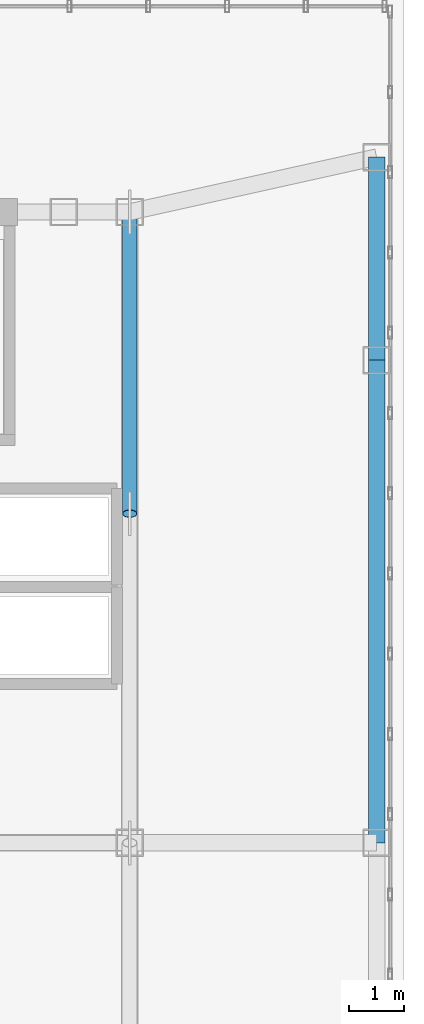
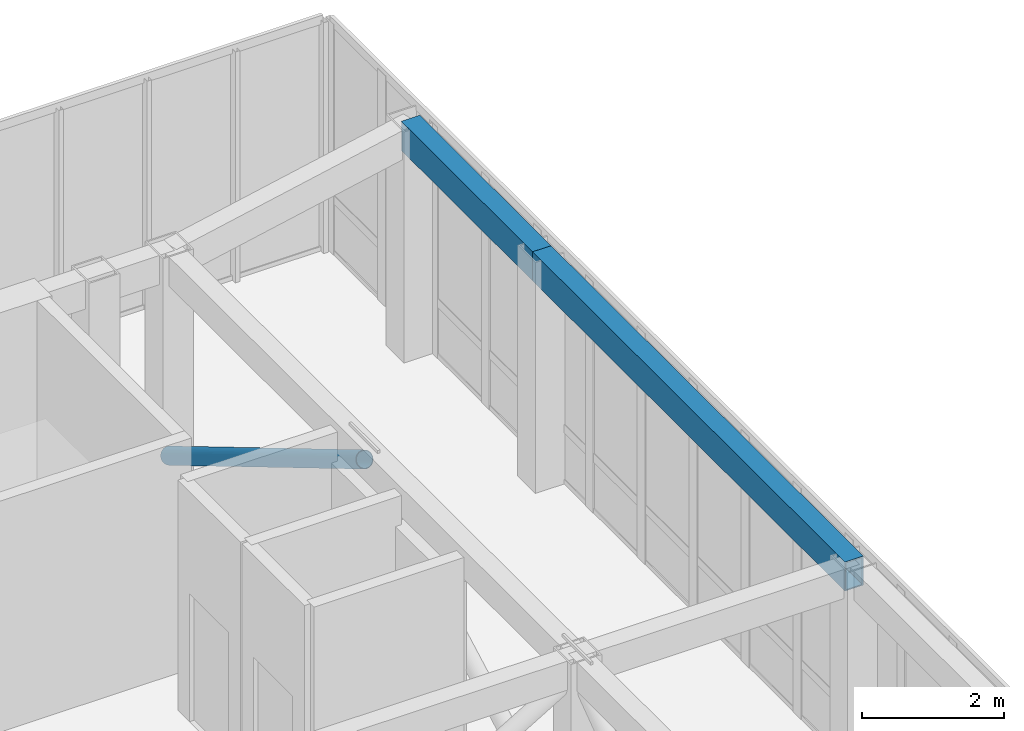
# One storey, part 8 of 13: 2 beams, 1 member.
"""IFC4 building model written with IfcOpenShell, lengths in metres."""

import ifcopenshell
import ifcopenshell.guid

model = None  # the IFC model being written
_history = None  # IfcOwnerHistory: only IFC2X3 demands one
_inside = {}  # id of a spatial element -> (the spatial element, [elements in it])
_under = {}  # id of a project, library or spatial element -> (it, [spatial elements below it])
_declared = {}  # id of a project -> (the project, [libraries it declares])
_typed = {}  # id of a type object -> (the type object, [elements of that type])
_made_of = {}  # id of a material, layer set ... -> (it, [elements and type objects made of it])


def new_model(schema):
    """Start an empty IFC model of exactly this schema.

    Asked for "IFC4X3", IfcOpenShell would pick the latest addendum, in which some entities
    have other attributes; the version numbers below select the first issue.
    IFC2X3 requires an IfcOwnerHistory on every rooted entity: one is made here for all.
    """
    global model, _history
    if schema == "IFC4X3":
        model = ifcopenshell.file(schema_version=(4, 3, 0, 0))
    else:
        model = ifcopenshell.file(schema=schema)
    _inside.clear()
    _under.clear()
    _declared.clear()
    _typed.clear()
    _made_of.clear()
    _history = None
    if model.schema == "IFC2X3":
        org = make("IfcOrganization", Name="unknown")
        user = make(
            "IfcPersonAndOrganization",
            ThePerson=make("IfcPerson", FamilyName="unknown"),
            TheOrganization=org,
        )
        app = make(
            "IfcApplication",
            ApplicationDeveloper=org,
            Version="unknown",
            ApplicationFullName="unknown",
            ApplicationIdentifier="unknown",
        )
        _history = make(
            "IfcOwnerHistory",
            OwningUser=user,
            OwningApplication=app,
            ChangeAction="ADDED",
            CreationDate=0,
        )
    return model


def make(cls, **values):
    """One entity of the class cls with the attributes given. An attribute that is None is left unset."""
    return model.create_entity(
        cls, **{name: value for name, value in values.items() if value is not None}
    )


def rooted(cls, **values):
    """An entity with a GlobalId (a new one), such as an element, a storey or a relation."""
    return make(cls, GlobalId=ifcopenshell.guid.new(), OwnerHistory=_history, **values)


def si_unit(unit_type, name, prefix=None):
    """IfcSIUnit, for example si_unit("LENGTHUNIT", "METRE", prefix="MILLI")."""
    return make("IfcSIUnit", UnitType=unit_type, Prefix=prefix, Name=name)


def assignment(units):
    """IfcUnitAssignment: the units of a project."""
    return None if units is None else make("IfcUnitAssignment", Units=units)


def point(xyz):
    """IfcCartesianPoint."""
    return None if xyz is None else make("IfcCartesianPoint", Coordinates=xyz)


def direction(xyz):
    """IfcDirection."""
    return None if xyz is None else make("IfcDirection", DirectionRatios=xyz)


def frame(location, z_axis=None, x_axis=None):
    """IfcAxis2Placement3D, a coordinate frame: its origin and axes. An axis left out is left unset."""
    return make(
        "IfcAxis2Placement3D",
        Location=point(location),
        Axis=direction(z_axis),
        RefDirection=direction(x_axis),
    )


def frame_2d(location, x_axis=None):
    """IfcAxis2Placement2D, a coordinate frame in the plane: its origin and x axis."""
    return make(
        "IfcAxis2Placement2D", Location=point(location), RefDirection=direction(x_axis)
    )


def origin():
    """The frame at (0, 0, 0) with its axes left unset."""
    return frame((0.0, 0.0, 0.0))


def origin_2d():
    """The frame at (0, 0) in the plane with its x axis left unset."""
    return frame_2d((0.0, 0.0))


def place(relative_to, where):
    """IfcLocalPlacement: puts the frame where relative to a parent placement (None: the world)."""
    return make(
        "IfcLocalPlacement", PlacementRelTo=relative_to, RelativePlacement=where
    )


def context(
    kind, dimensions, precision=None, world=None, true_north=None, identifier=None
):
    """IfcGeometricRepresentationContext, for example the 3D "Model" context."""
    return make(
        "IfcGeometricRepresentationContext",
        ContextIdentifier=identifier,
        ContextType=kind,
        CoordinateSpaceDimension=dimensions,
        Precision=precision,
        WorldCoordinateSystem=world,
        TrueNorth=true_north,
    )


def subcontext(parent, identifier, kind, view, scale=None):
    """IfcGeometricRepresentationSubContext, for example "Body" below "Model"."""
    return make(
        "IfcGeometricRepresentationSubContext",
        ContextIdentifier=identifier,
        ContextType=kind,
        ParentContext=parent,
        TargetScale=scale,
        TargetView=view,
    )


def project(units=None, contexts=None):
    """IfcProject with its units and contexts."""
    return rooted(
        "IfcProject",
        Name="project",
        RepresentationContexts=contexts,
        UnitsInContext=assignment(units),
    )


def spatial(cls, under=None, at=None, **own):
    """A site, building, storey or space (cls), placed at a placement, below another one or the project."""
    s = rooted(cls, ObjectPlacement=at, **own)
    if under is not None:
        _under.setdefault(under.id(), (under, []))[1].append(s)
    return s


def profile(cls, at=None, kind="AREA", **sizes):
    """A parametric profile (cls). Its sizes go by their IFC names, for example OverallWidth=200.0."""
    return make(cls, ProfileType=kind, Position=at, **sizes)


def hollow_rectangle(**sizes):
    """IfcRectangleHollowProfileDef."""
    return profile("IfcRectangleHollowProfileDef", **sizes)


def hollow_circle(**sizes):
    """IfcCircleHollowProfileDef."""
    return profile("IfcCircleHollowProfileDef", **sizes)


def extrude(swept, where, along, depth):
    """IfcExtrudedAreaSolid: the profile swept, set in the frame where, extruded along a direction by depth."""
    return make(
        "IfcExtrudedAreaSolid",
        SweptArea=swept,
        Position=where,
        ExtrudedDirection=direction(along),
        Depth=depth,
    )


def shape(context_of_items, identifier, shape_type, items):
    """IfcShapeRepresentation: the items that make up one representation, for example the "Body"."""
    return make(
        "IfcShapeRepresentation",
        ContextOfItems=context_of_items,
        RepresentationIdentifier=identifier,
        RepresentationType=shape_type,
        Items=items,
    )


def source(mapping_origin, context_of_items, identifier, shape_type, items):
    """IfcRepresentationMap: a shape defined once, which mapped items show again and again."""
    return make(
        "IfcRepresentationMap",
        MappingOrigin=mapping_origin,
        MappedRepresentation=shape(context_of_items, identifier, shape_type, items),
    )


def transform(
    local_origin,
    x_axis=None,
    y_axis=None,
    z_axis=None,
    scale=None,
    scale2=None,
    scale3=None,
    uniform=True,
):
    """IfcCartesianTransformationOperator3D, or its non-uniform kind. x_axis, y_axis, z_axis: its Axis1, 2, 3."""
    if uniform:
        return make(
            "IfcCartesianTransformationOperator3D",
            Axis1=direction(x_axis),
            Axis2=direction(y_axis),
            LocalOrigin=point(local_origin),
            Scale=scale,
            Axis3=direction(z_axis),
        )
    return make(
        "IfcCartesianTransformationOperator3DnonUniform",
        Axis1=direction(x_axis),
        Axis2=direction(y_axis),
        LocalOrigin=point(local_origin),
        Scale=scale,
        Axis3=direction(z_axis),
        Scale2=scale2,
        Scale3=scale3,
    )


def mapped(mapping_source, mapping_target):
    """IfcMappedItem: shows the shape of a source again, moved by a transform."""
    return make(
        "IfcMappedItem", MappingSource=mapping_source, MappingTarget=mapping_target
    )


def material(Name=None, Category=None):
    """IfcMaterial."""
    return make("IfcMaterial", Name=Name, Category=Category)


def material_profile(
    of_material, cross_section, Name=None, Category=None, Priority=None
):
    """IfcMaterialProfile: a cross section and its material."""
    return make(
        "IfcMaterialProfile",
        Name=Name,
        Material=of_material,
        Profile=cross_section,
        Priority=Priority,
        Category=Category,
    )


def profile_set(profiles, Name=None, composite=None):
    """IfcMaterialProfileSet."""
    return make(
        "IfcMaterialProfileSet",
        Name=Name,
        MaterialProfiles=profiles,
        CompositeProfile=composite,
    )


def made_of(thing, what):
    """Note that an element or type object is made of a material, layer set ...; save() writes the relation."""
    if what is not None:
        _made_of.setdefault(what.id(), (what, []))[1].append(thing)
    return thing


def type_object(cls, material=None, **own):
    """A type object (cls), such as IfcWallType, which elements share."""
    return made_of(rooted(cls, **own), material)


def element(
    cls,
    number,
    at=None,
    inside=None,
    cuts=None,
    type_object=None,
    material=None,
    context=None,
    identifier="Body",
    shape_type=None,
    held_by="IfcProductDefinitionShape",
    body=None,
    shapes=None,
    **own,
):
    """One element of the class cls, such as IfcWall. Its Tag is "e" and its number.

    at: its placement. inside: the storey or other place that contains it. cuts: it is an
    opening in that element (IfcRelVoidsElement). A single representation is given by context,
    identifier, shape_type and body (its items); several are given by shapes. held_by: the class
    of the entity that holds the representations. save() writes the other relations.
    """
    e = rooted(cls, Tag="e%d" % number, ObjectPlacement=at, **own)
    if body is not None:
        shapes = [shape(context, identifier, shape_type, body)]
    if shapes is not None:
        e.Representation = make(held_by, Representations=shapes)
    if inside is not None:
        _inside.setdefault(inside.id(), (inside, []))[1].append(e)
    if cuts is not None:
        rooted(
            "IfcRelVoidsElement", RelatingBuildingElement=cuts, RelatedOpeningElement=e
        )
    if type_object is not None:
        _typed.setdefault(type_object.id(), (type_object, []))[1].append(e)
    return made_of(e, material)


def aggregate(whole, parts):
    """IfcRelAggregates: a whole, such as a stair, and the parts it consists of."""
    return rooted("IfcRelAggregates", RelatingObject=whole, RelatedObjects=parts)


def save(model, path):
    """Write the relations noted so far, then the file.

    IfcRelAggregates (storeys below a building ...), IfcRelContainedInSpatialStructure (elements
    in a storey), IfcRelDefinesByType, IfcRelAssociatesMaterial and IfcRelDeclares: one each for
    every whole, place, type object, material and project.
    """
    for whole, parts in _under.values():
        aggregate(whole, parts)
    for where, things in _inside.values():
        rooted(
            "IfcRelContainedInSpatialStructure",
            RelatedElements=things,
            RelatingStructure=where,
        )
    for kind, things in _typed.values():
        rooted("IfcRelDefinesByType", RelatedObjects=things, RelatingType=kind)
    for what, things in _made_of.values():
        rooted("IfcRelAssociatesMaterial", RelatedObjects=things, RelatingMaterial=what)
    for by, libraries in _declared.values():
        rooted("IfcRelDeclares", RelatingContext=by, RelatedDefinitions=libraries)
    model.write(path)


model = new_model("IFC4")

# Units and contexts
model_context = context("Model", 3, precision=1e-05, world=origin(), true_north=direction((0.0, 1.0)))
body_context = subcontext(model_context, "Body", "Model", "MODEL_VIEW")
ifc_project = project(units=[si_unit("LENGTHUNIT", "METRE"), si_unit("AREAUNIT", "SQUARE_METRE"), si_unit("VOLUMEUNIT", "CUBIC_METRE"), si_unit("PLANEANGLEUNIT", "RADIAN"), si_unit("MASSUNIT", "GRAM", prefix="KILO")], contexts=[model_context])

# Site, building, storey
site_placement = place(None, origin())
site = spatial("IfcSite", under=ifc_project, at=site_placement, CompositionType="ELEMENT")
building_placement = place(site_placement, origin())
building = spatial("IfcBuilding", under=site, at=building_placement, Name="Kharzan Plaza Tower", CompositionType="ELEMENT")
storey_placement = place(building_placement, frame((0.0, 0.0, 294.0)))
storey = spatial("IfcBuildingStorey", under=building, at=storey_placement, Name="L79-CROWN", CompositionType="ELEMENT", Elevation=294.0)

# Beams
ifc_material = material(Name="Steel S355", Category="steel")
ifc_material_profile_1 = material_profile(ifc_material, hollow_rectangle(XDim=0.300048828125, YDim=0.5, WallThickness=0.02001953125, at=origin_2d()), Name="RHS500x300x20")
ifc_profile_set_1 = profile_set([ifc_material_profile_1], Name="Steel S355")
beam_type = type_object("IfcBeamType", Name="BM-CRN500", PredefinedType="BEAM", material=ifc_profile_set_1)
shared_shape_1 = source(origin(), body_context, "Body", "SweptSolid", [
    extrude(hollow_rectangle(XDim=0.300048828125, YDim=0.5, WallThickness=0.02001953125, at=origin_2d()), origin(), (0.0, 0.0, 1.0), 8.800048828125),
])
beam_1_placement = place(storey_placement, frame((19.0, 18.0, 3.719970703125), z_axis=(0.0, 1.0, 0.0), x_axis=(-1.0, 0.0, 0.0)))
element("IfcBeam", 1, at=beam_1_placement, inside=storey, type_object=beam_type, Name="L79-CROWN CROWN FRAME Lantern Ring Beam CRB-E2", PredefinedType="BEAM", context=body_context, shape_type="MappedRepresentation", body=[
    mapped(shared_shape_1, transform((0.0, 0.0, 0.0), x_axis=(1.0, 0.0, 0.0), y_axis=(0.0, 1.0, 0.0), z_axis=(0.0, 0.0, 1.0))),
])
shared_shape_2 = source(origin(), body_context, "Body", "SweptSolid", [
    extrude(hollow_rectangle(XDim=0.300048828125, YDim=0.5, WallThickness=0.02001953125, at=origin_2d()), origin(), (0.0, 0.0, 1.0), 3.699951171875),
])
beam_2_placement = place(storey_placement, frame((19.0, 26.800048828125, 3.719970703125), z_axis=(0.0, 1.0, 0.0), x_axis=(-1.0, 0.0, 0.0)))
element("IfcBeam", 2, at=beam_2_placement, inside=storey, type_object=beam_type, Name="L79-CROWN CROWN FRAME Lantern Ring Beam CRB-E3", PredefinedType="BEAM", context=body_context, shape_type="MappedRepresentation", body=[
    mapped(shared_shape_2, transform((0.0, 0.0, 0.0), x_axis=(1.0, 0.0, 0.0), y_axis=(0.0, 1.0, 0.0), z_axis=(0.0, 0.0, 1.0))),
])

# Member
ifc_material_profile_2 = material_profile(ifc_material, hollow_circle(Radius=0.136474609375, WallThickness=0.010009765625, at=origin_2d()), Name="CHS273x10")
ifc_profile_set_2 = profile_set([ifc_material_profile_2], Name="Steel S355")
member_type = type_object("IfcMemberType", Name="MEM-CRN-DIAG", PredefinedType="BRACE", material=ifc_profile_set_2)
shared_shape_3 = source(origin(), body_context, "Body", "SweptSolid", [
    extrude(hollow_circle(Radius=0.136474609375, WallThickness=0.010009765625, at=origin_2d()), origin(), (0.0, 0.0, 1.0), 6.398681640625),
])
member_placement = place(storey_placement, frame((14.5, 29.5, 0.35009765625), z_axis=(0.0, -0.859553101499, 0.511046441827), x_axis=(1.0, 0.0, 0.0)))
element("IfcMember", 3, at=member_placement, inside=storey, type_object=member_type, Name="L79-CROWN CROWN FRAME Diagonal Wind Brace CRD-N1", PredefinedType="BRACE", context=body_context, shape_type="MappedRepresentation", body=[
    mapped(shared_shape_3, transform((0.0, 0.0, 0.0), x_axis=(1.0, 0.0, 0.0), y_axis=(0.0, 1.0, 0.0), z_axis=(0.0, 0.0, 1.0))),
])

save(model, "model.ifc")
